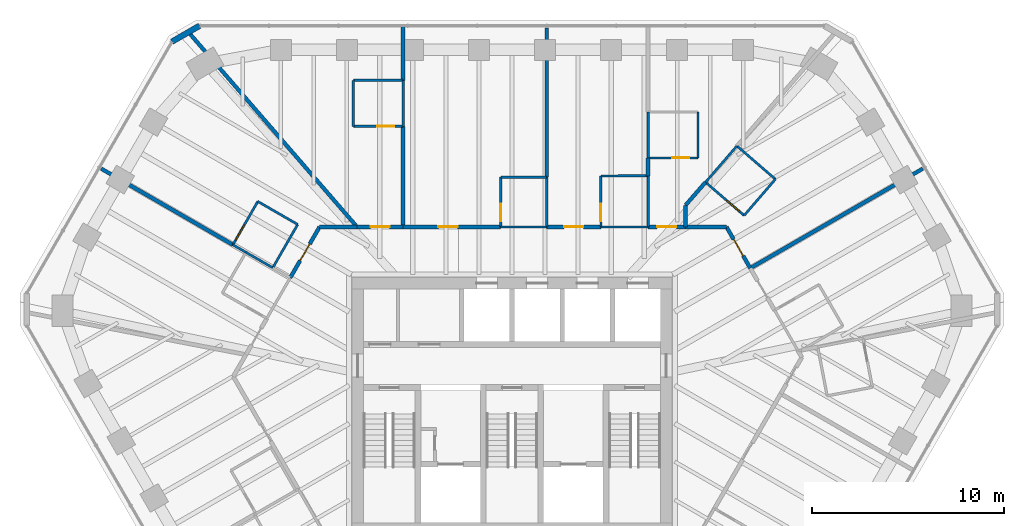
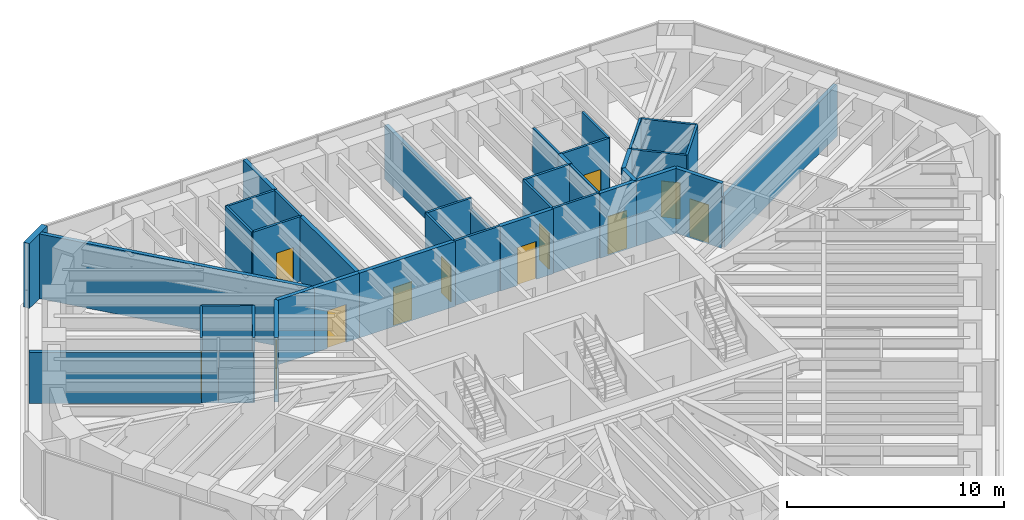
# One storey, part 12 of 14: 42 walls, 12 doors, 12 openings.
"""IFC4 building model written with IfcOpenShell, lengths in metres."""

from ifc_helpers import new_model, si_unit, direction, frame, frame_2d, origin, place, context, subcontext, project, spatial, rectangle, extrude, material, layer, layer_set, type_object, element, fill, save


model = new_model("IFC4")

# Units and contexts
model_context = context("Model", 3, precision=1e-05, world=origin(), true_north=direction((0.0, 1.0)))
body_context = subcontext(model_context, "Body", "Model", "MODEL_VIEW")
ifc_project = project(units=[si_unit("LENGTHUNIT", "METRE"), si_unit("AREAUNIT", "SQUARE_METRE"), si_unit("VOLUMEUNIT", "CUBIC_METRE"), si_unit("PLANEANGLEUNIT", "RADIAN"), si_unit("MASSUNIT", "GRAM", prefix="KILO")], contexts=[model_context])

# Site, building, storey
site_placement = place(None, origin())
site = spatial("IfcSite", under=ifc_project, at=site_placement, CompositionType="ELEMENT")
building_placement = place(site_placement, origin())
building = spatial("IfcBuilding", under=site, at=building_placement, Name="Sandreach Pilgrim Tower", CompositionType="ELEMENT")
storey_placement = place(building_placement, frame((0.0, 0.0, 276.0)))
storey = spatial("IfcBuildingStorey", under=building, at=storey_placement, Name="L69", CompositionType="ELEMENT", Elevation=276.0)

# Walls
ifc_material_1 = material(Name="Moisture-resistant gypsum board on steel studs", Category="steel")
ifc_layer_1 = layer(ifc_material_1, 0.1201171875)
ifc_layer_set_1 = layer_set([ifc_layer_1], Name="Bathroom partition 120")
wall_type_1 = type_object("IfcWallType", Name="Bathroom partition 120", PredefinedType="PARTITIONING", material=ifc_layer_set_1)
wall_1_placement = place(storey_placement, frame((-14.56005859375, 8.39990234375, 0.0), z_axis=(0.0, 0.0, 1.0), x_axis=(0.866242622795, -0.499623576758, 0.0)))
element("IfcWall", 1, at=wall_1_placement, inside=storey, type_object=wall_type_1, Name="Bathroom partition L69-006", PredefinedType="PARTITIONING", context=body_context, shape_type="SweptSolid", body=[
    extrude(rectangle(XDim=0.78369140625, YDim=0.1201171875, at=frame_2d((0.391845703125, 0.0))), origin(), (0.0, 0.0, 1.0), 2.8779296875),
])
wall_2_placement = place(storey_placement, frame((-13.881103515625, 8.00830078125, 0.0), z_axis=(0.0, 0.0, 1.0), x_axis=(0.866183073342, -0.499726808823, 0.0)))
element("IfcWall", 2, at=wall_2_placement, inside=storey, type_object=wall_type_1, Name="Bathroom partition L69-009", PredefinedType="PARTITIONING", context=body_context, shape_type="SweptSolid", body=[
    extrude(rectangle(XDim=1.61767578125, YDim=0.1201171875, at=frame_2d((0.808837890625, 0.0))), origin(), (0.0, 0.0, 1.0), 2.8779296875),
])

# Wall, opening, door
wall_3_placement = place(storey_placement, frame((-13.260009765625, 10.659912109375, 0.0), z_axis=(0.0, 0.0, 1.0), x_axis=(-0.498627694264, -0.866816256489, 0.0)))
wall_3 = element("IfcWall", 3, at=wall_3_placement, inside=storey, type_object=wall_type_1, Name="Bathroom partition L69-016", PredefinedType="PARTITIONING", context=body_context, shape_type="SweptSolid", body=[
    extrude(rectangle(XDim=2.607177734375, YDim=0.1201171875, at=frame_2d((1.3037109375, 0.0))), origin(), (0.0, 0.0, 1.0), 3.639892578125),
])
opening_1_placement = place(wall_3_placement, frame((1.4072265625, 0.0, 0.0)))
opening_1 = element("IfcOpeningElement", 4, at=opening_1_placement, cuts=wall_3, Name="Opening D09-16B", PredefinedType="OPENING", context=body_context, shape_type="SweptSolid", body=[
    extrude(rectangle(XDim=0.89990234375, YDim=2.030029296875, at=frame_2d((0.449951171875, 1.01513671875))), frame((0.0, 0.06005859375, 0.0), z_axis=(0.0, -1.0, 0.0), x_axis=(1.0, 0.0, 0.0)), (0.0, 0.0, 1.0), 0.1201171875),
])
ifc_material_2 = material(Name="Timber door, steel frame", Category="steel")
door_type_1 = type_object("IfcDoorType", Name="Bathroom door", OperationType="SINGLE_SWING_LEFT", PredefinedType="DOOR", material=ifc_material_2)
door_1_placement = place(opening_1_placement, origin())
door_1 = element("IfcDoor", 5, at=door_1_placement, inside=storey, type_object=door_type_1, Name="Door 6916B", OperationType="SINGLE_SWING_RIGHT", OverallHeight=2.030029296875, OverallWidth=0.89990234375, PredefinedType="DOOR", context=body_context, shape_type="SweptSolid", body=[
    extrude(rectangle(XDim=0.89990234375, YDim=2.030029296875, at=frame_2d((0.449951171875, 1.01513671875))), frame((0.0, 0.02490234375, 0.0), z_axis=(0.0, -1.0, 0.0), x_axis=(1.0, 0.0, 0.0)), (0.0, 0.0, 1.0), 0.050048828125),
])
fill(opening_1, door_1)

# Walls
wall_4_placement = place(storey_placement, frame((-12.47998046875, 7.199951171875, 0.0), z_axis=(0.0, 0.0, 1.0), x_axis=(0.498627694264, 0.866816256489, 0.0)))
element("IfcWall", 6, at=wall_4_placement, inside=storey, type_object=wall_type_1, Name="Bathroom partition L69-020", PredefinedType="PARTITIONING", context=body_context, shape_type="SweptSolid", body=[
    extrude(rectangle(XDim=2.607177734375, YDim=0.1201171875, at=frame_2d((1.3037109375, 0.0))), origin(), (0.0, 0.0, 1.0), 3.639892578125),
])
wall_5_placement = place(storey_placement, frame((-11.179931640625, 9.4599609375, 0.0), z_axis=(0.0, 0.0, 1.0), x_axis=(-0.866202511239, 0.499693115345, 0.0)))
element("IfcWall", 7, at=wall_5_placement, inside=storey, type_object=wall_type_1, Name="Bathroom partition L69-025", PredefinedType="PARTITIONING", context=body_context, shape_type="SweptSolid", body=[
    extrude(rectangle(XDim=2.4013671875, YDim=0.1201171875, at=frame_2d((1.20068359375, 0.0))), origin(), (0.0, 0.0, 1.0), 3.639892578125),
])

# Wall, opening, door
wall_6_placement = place(storey_placement, frame((-8.280029296875, 14.580078125, 0.0), z_axis=(0.0, 0.0, 1.0), x_axis=(1.0, 0.0, 0.0)))
wall_6 = element("IfcWall", 8, at=wall_6_placement, inside=storey, type_object=wall_type_1, Name="Bathroom partition L69-030", PredefinedType="PARTITIONING", context=body_context, shape_type="SweptSolid", body=[
    extrude(rectangle(XDim=2.60009765625, YDim=0.1201171875, at=frame_2d((1.300048828125, 0.0))), origin(), (0.0, 0.0, 1.0), 3.639892578125),
])
opening_2_placement = place(wall_6_placement, frame((1.25, 0.0, 0.0)))
opening_2 = element("IfcOpeningElement", 9, at=opening_2_placement, cuts=wall_6, Name="Opening D09-01B", PredefinedType="OPENING", context=body_context, shape_type="SweptSolid", body=[
    extrude(rectangle(XDim=0.89990234375, YDim=2.030029296875, at=frame_2d((0.449951171875, 1.01513671875))), frame((0.0, 0.06005859375, 0.0), z_axis=(0.0, -1.0, 0.0), x_axis=(1.0, 0.0, 0.0)), (0.0, 0.0, 1.0), 0.1201171875),
])
door_2_placement = place(opening_2_placement, origin())
door_2 = element("IfcDoor", 10, at=door_2_placement, inside=storey, type_object=door_type_1, Name="Door 6901B", OperationType="SINGLE_SWING_RIGHT", OverallHeight=2.030029296875, OverallWidth=0.89990234375, PredefinedType="DOOR", context=body_context, shape_type="SweptSolid", body=[
    extrude(rectangle(XDim=0.89990234375, YDim=2.030029296875, at=frame_2d((0.449951171875, 1.01513671875))), frame((0.0, 0.02490234375, 0.0), z_axis=(0.0, -1.0, 0.0), x_axis=(1.0, 0.0, 0.0)), (0.0, 0.0, 1.0), 0.050048828125),
])
fill(opening_2, door_2)

# Walls
wall_7_placement = place(storey_placement, frame((-8.280029296875, 16.97998046875, 0.0), z_axis=(0.0, 0.0, 1.0), x_axis=(0.0, -1.0, 0.0)))
element("IfcWall", 11, at=wall_7_placement, inside=storey, type_object=wall_type_1, Name="Bathroom partition L69-031", PredefinedType="PARTITIONING", context=body_context, shape_type="SweptSolid", body=[
    extrude(rectangle(XDim=2.39990234375, YDim=0.1201171875, at=frame_2d((1.199951171875, 0.0))), origin(), (0.0, 0.0, 1.0), 3.639892578125),
])
wall_8_placement = place(storey_placement, frame((-5.679931640625, 16.97998046875, 0.0), z_axis=(0.0, 0.0, 1.0), x_axis=(-1.0, 0.0, 0.0)))
element("IfcWall", 12, at=wall_8_placement, inside=storey, type_object=wall_type_1, Name="Bathroom partition L69-040", PredefinedType="PARTITIONING", context=body_context, shape_type="SweptSolid", body=[
    extrude(rectangle(XDim=2.60009765625, YDim=0.1201171875, at=frame_2d((1.300048828125, 0.0))), origin(), (0.0, 0.0, 1.0), 3.639892578125),
])
wall_9_placement = place(storey_placement, frame((-5.679931640625, 16.97998046875, 0.0), z_axis=(0.0, 0.0, 1.0), x_axis=(0.0, -1.0, 0.0)))
element("IfcWall", 13, at=wall_9_placement, inside=storey, type_object=wall_type_1, Name="Bathroom partition L69-041", PredefinedType="PARTITIONING", context=body_context, shape_type="SweptSolid", body=[
    extrude(rectangle(XDim=2.39990234375, YDim=0.1201171875, at=frame_2d((1.199951171875, 0.0))), origin(), (0.0, 0.0, 1.0), 3.639892578125),
])

# Wall, opening, door
wall_10_placement = place(storey_placement, frame((-0.580078125, 11.929931640625, 0.0), z_axis=(0.0, 0.0, 1.0), x_axis=(-0.003850098237, -0.999992588344, 0.0)))
wall_10 = element("IfcWall", 14, at=wall_10_placement, inside=storey, type_object=wall_type_1, Name="Bathroom partition L69-054", PredefinedType="PARTITIONING", context=body_context, shape_type="SweptSolid", body=[
    extrude(rectangle(XDim=2.599853515625, YDim=0.1201171875, at=frame_2d((1.2998046875, 0.0))), origin(), (0.0, 0.0, 1.0), 3.639892578125),
])
opening_3_placement = place(wall_10_placement, frame((1.39990234375, 0.0, 0.0)))
opening_3 = element("IfcOpeningElement", 15, at=opening_3_placement, cuts=wall_10, Name="Opening D09-02B", PredefinedType="OPENING", context=body_context, shape_type="SweptSolid", body=[
    extrude(rectangle(XDim=0.89990234375, YDim=2.030029296875, at=frame_2d((0.449951171875, 1.01513671875))), frame((0.0, 0.06005859375, 0.0), z_axis=(0.0, -1.0, 0.0), x_axis=(1.0, 0.0, 0.0)), (0.0, 0.0, 1.0), 0.1201171875),
])
door_3_placement = place(opening_3_placement, origin())
door_3 = element("IfcDoor", 16, at=door_3_placement, inside=storey, type_object=door_type_1, Name="Door 6902B", OperationType="SINGLE_SWING_RIGHT", OverallHeight=2.030029296875, OverallWidth=0.89990234375, PredefinedType="DOOR", context=body_context, shape_type="SweptSolid", body=[
    extrude(rectangle(XDim=0.89990234375, YDim=2.030029296875, at=frame_2d((0.449951171875, 1.01513671875))), frame((0.0, 0.02490234375, 0.0), z_axis=(0.0, -1.0, 0.0), x_axis=(1.0, 0.0, 0.0)), (0.0, 0.0, 1.0), 0.050048828125),
])
fill(opening_3, door_3)

# Walls
wall_11_placement = place(storey_placement, frame((1.81005859375, 9.330078125, 0.0), z_axis=(0.0, 0.0, 1.0), x_axis=(-1.0, 0.0, 0.0)))
element("IfcWall", 17, at=wall_11_placement, inside=storey, type_object=wall_type_1, Name="Bathroom partition L69-062", PredefinedType="PARTITIONING", context=body_context, shape_type="SweptSolid", body=[
    extrude(rectangle(XDim=2.400146484375, YDim=0.1201171875, at=frame_2d((1.2001953125, 0.0))), origin(), (0.0, 0.0, 1.0), 3.639892578125),
])
wall_12_placement = place(storey_placement, frame((1.81005859375, 11.929931640625, 0.0), z_axis=(0.0, 0.0, 1.0), x_axis=(-1.0, 0.0, 0.0)))
element("IfcWall", 18, at=wall_12_placement, inside=storey, type_object=wall_type_1, Name="Bathroom partition L69-063", PredefinedType="PARTITIONING", context=body_context, shape_type="SweptSolid", body=[
    extrude(rectangle(XDim=2.39013671875, YDim=0.1201171875, at=frame_2d((1.195068359375, 0.0))), origin(), (0.0, 0.0, 1.0), 3.639892578125),
])
wall_13_placement = place(storey_placement, frame((1.81005859375, 11.929931640625, 0.0), z_axis=(0.0, 0.0, 1.0), x_axis=(0.0, -1.0, 0.0)))
element("IfcWall", 19, at=wall_13_placement, inside=storey, type_object=wall_type_1, Name="Bathroom partition L69-064", PredefinedType="PARTITIONING", context=body_context, shape_type="SweptSolid", body=[
    extrude(rectangle(XDim=2.599853515625, YDim=0.1201171875, at=frame_2d((1.2998046875, 0.0))), origin(), (0.0, 0.0, 1.0), 3.022705078125),
])

# Wall, opening, door
wall_14_placement = place(storey_placement, frame((4.6298828125, 11.989990234375, 0.0), z_axis=(0.0, 0.0, 1.0), x_axis=(0.00376316748, -0.99999291926, 0.0)))
wall_14 = element("IfcWall", 20, at=wall_14_placement, inside=storey, type_object=wall_type_1, Name="Bathroom partition L69-070", PredefinedType="PARTITIONING", context=body_context, shape_type="SweptSolid", body=[
    extrude(rectangle(XDim=2.659912109375, YDim=0.1201171875, at=frame_2d((1.330078125, 0.0))), origin(), (0.0, 0.0, 1.0), 3.639892578125),
])
opening_4_placement = place(wall_14_placement, frame((1.4599609375, 0.0, 0.0)))
opening_4 = element("IfcOpeningElement", 21, at=opening_4_placement, cuts=wall_14, Name="Opening D09-03B", PredefinedType="OPENING", context=body_context, shape_type="SweptSolid", body=[
    extrude(rectangle(XDim=0.89990234375, YDim=2.030029296875, at=frame_2d((0.449951171875, 1.01513671875))), frame((0.0, 0.06005859375, 0.0), z_axis=(0.0, -1.0, 0.0), x_axis=(1.0, 0.0, 0.0)), (0.0, 0.0, 1.0), 0.1201171875),
])
door_4_placement = place(opening_4_placement, origin())
door_4 = element("IfcDoor", 22, at=door_4_placement, inside=storey, type_object=door_type_1, Name="Door 6903B", OperationType="SINGLE_SWING_RIGHT", OverallHeight=2.030029296875, OverallWidth=0.89990234375, PredefinedType="DOOR", context=body_context, shape_type="SweptSolid", body=[
    extrude(rectangle(XDim=0.89990234375, YDim=2.030029296875, at=frame_2d((0.449951171875, 1.01513671875))), frame((0.0, 0.02490234375, 0.0), z_axis=(0.0, -1.0, 0.0), x_axis=(1.0, 0.0, 0.0)), (0.0, 0.0, 1.0), 0.050048828125),
])
fill(opening_4, door_4)

# Walls
wall_15_placement = place(storey_placement, frame((7.10009765625, 9.330078125, 0.0), z_axis=(0.0, 0.0, 1.0), x_axis=(-1.0, 0.0, 0.0)))
element("IfcWall", 23, at=wall_15_placement, inside=storey, type_object=wall_type_1, Name="Bathroom partition L69-079", PredefinedType="PARTITIONING", context=body_context, shape_type="SweptSolid", body=[
    extrude(rectangle(XDim=2.460205078125, YDim=0.1201171875, at=frame_2d((1.22998046875, 0.0))), origin(), (0.0, 0.0, 1.0), 3.639892578125),
])
wall_16_placement = place(storey_placement, frame((7.10009765625, 12.0, 0.0), z_axis=(0.0, 0.0, 1.0), x_axis=(-0.99999178838, -0.00405255148, 0.0)))
element("IfcWall", 24, at=wall_16_placement, inside=storey, type_object=wall_type_1, Name="Bathroom partition L69-081", PredefinedType="PARTITIONING", context=body_context, shape_type="SweptSolid", body=[
    extrude(rectangle(XDim=2.469970703125, YDim=0.1201171875, at=frame_2d((1.23486328125, 0.0))), origin(), (0.0, 0.0, 1.0), 3.639892578125),
])
wall_17_placement = place(storey_placement, frame((7.10009765625, 12.0, 0.0), z_axis=(0.0, 0.0, 1.0), x_axis=(0.0, -1.0, 0.0)))
element("IfcWall", 25, at=wall_17_placement, inside=storey, type_object=wall_type_1, Name="Bathroom partition L69-082", PredefinedType="PARTITIONING", context=body_context, shape_type="SweptSolid", body=[
    extrude(rectangle(XDim=2.669921875, YDim=0.1201171875, at=frame_2d((1.3349609375, 0.0))), origin(), (0.0, 0.0, 1.0), 3.639892578125),
])

# Wall, opening, door
wall_18_placement = place(storey_placement, frame((7.10009765625, 12.929931640625, 0.0), z_axis=(0.0, 0.0, 1.0), x_axis=(1.0, 0.0, 0.0)))
wall_18 = element("IfcWall", 26, at=wall_18_placement, inside=storey, type_object=wall_type_1, Name="Bathroom partition L69-084", PredefinedType="PARTITIONING", context=body_context, shape_type="SweptSolid", body=[
    extrude(rectangle(XDim=2.599853515625, YDim=0.1201171875, at=frame_2d((1.2998046875, 0.0))), origin(), (0.0, 0.0, 1.0), 3.639892578125),
])
opening_5_placement = place(wall_18_placement, frame((1.25, 0.0, 0.0)))
opening_5 = element("IfcOpeningElement", 27, at=opening_5_placement, cuts=wall_18, Name="Opening D09-04B", PredefinedType="OPENING", context=body_context, shape_type="SweptSolid", body=[
    extrude(rectangle(XDim=0.89990234375, YDim=2.030029296875, at=frame_2d((0.449951171875, 1.01513671875))), frame((0.0, 0.06005859375, 0.0), z_axis=(0.0, -1.0, 0.0), x_axis=(1.0, 0.0, 0.0)), (0.0, 0.0, 1.0), 0.1201171875),
])
door_5_placement = place(opening_5_placement, origin())
door_5 = element("IfcDoor", 28, at=door_5_placement, inside=storey, type_object=door_type_1, Name="Door 6904B", OperationType="SINGLE_SWING_RIGHT", OverallHeight=2.030029296875, OverallWidth=0.89990234375, PredefinedType="DOOR", context=body_context, shape_type="SweptSolid", body=[
    extrude(rectangle(XDim=0.89990234375, YDim=2.030029296875, at=frame_2d((0.449951171875, 1.01513671875))), frame((0.0, 0.02490234375, 0.0), z_axis=(0.0, -1.0, 0.0), x_axis=(1.0, 0.0, 0.0)), (0.0, 0.0, 1.0), 0.050048828125),
])
fill(opening_5, door_5)

# Walls
for number, where, z_axis, x_axis, name in (
    (29, (7.10009765625, 15.330078125, 0.0), (0.0, 0.0, 1.0), (0.0, -1.0, 0.0), "Bathroom partition L69-085"),
    (30, (9.699951171875, 12.929931640625, 0.0), (0.0, 0.0, 1.0), (0.0, 1.0, 0.0), "Bathroom partition L69-094"),
):
    element("IfcWall", number, at=place(storey_placement, frame(where, z_axis=z_axis, x_axis=x_axis)), inside=storey, type_object=wall_type_1, Name=name, PredefinedType="PARTITIONING", context=body_context, shape_type="SweptSolid", body=[
        extrude(rectangle(XDim=2.400146484375, YDim=0.1201171875, at=frame_2d((1.2001953125, 0.0))), origin(), (0.0, 0.0, 1.0), 3.639892578125),
    ])
wall_19_placement = place(storey_placement, frame((10.09619140625, 11.663330078125, 0.0), z_axis=(0.0, 0.0, 1.0), x_axis=(0.654079520224, 0.7564257936, 0.0)))
element("IfcWall", 31, at=wall_19_placement, inside=storey, type_object=wall_type_1, Name="Bathroom partition L69-096", PredefinedType="PARTITIONING", context=body_context, shape_type="SweptSolid", body=[
    extrude(rectangle(XDim=2.50244140625, YDim=0.1201171875, at=frame_2d((1.251220703125, 0.0))), origin(), (0.0, 0.0, 1.0), 3.639892578125),
])

# Wall, opening, door
wall_20_placement = place(storey_placement, frame((10.10009765625, 11.659912109375, 0.0), z_axis=(0.0, 0.0, 1.0), x_axis=(0.757929364221, -0.652336630009, 0.0)))
wall_20 = element("IfcWall", 32, at=wall_20_placement, inside=storey, type_object=wall_type_1, Name="Bathroom partition L69-097", PredefinedType="PARTITIONING", context=body_context, shape_type="SweptSolid", body=[
    extrude(rectangle(XDim=2.65185546875, YDim=0.1201171875, at=frame_2d((1.325927734375, 0.0))), origin(), (0.0, 0.0, 1.0), 3.639892578125),
])
opening_6_placement = place(wall_20_placement, frame((1.451904296875, 0.0, 0.0)))
opening_6 = element("IfcOpeningElement", 33, at=opening_6_placement, cuts=wall_20, Name="Opening D09-05B", PredefinedType="OPENING", context=body_context, shape_type="SweptSolid", body=[
    extrude(rectangle(XDim=0.89990234375, YDim=2.030029296875, at=frame_2d((0.449951171875, 1.01513671875))), frame((0.0, 0.06005859375, 0.0), z_axis=(0.0, -1.0, 0.0), x_axis=(1.0, 0.0, 0.0)), (0.0, 0.0, 1.0), 0.1201171875),
])
door_6_placement = place(opening_6_placement, origin())
door_6 = element("IfcDoor", 34, at=door_6_placement, inside=storey, type_object=door_type_1, Name="Door 6905B", OperationType="SINGLE_SWING_RIGHT", OverallHeight=2.030029296875, OverallWidth=0.89990234375, PredefinedType="DOOR", context=body_context, shape_type="SweptSolid", body=[
    extrude(rectangle(XDim=0.89990234375, YDim=2.030029296875, at=frame_2d((0.449951171875, 1.01513671875))), frame((0.0, 0.02490234375, 0.0), z_axis=(0.0, -1.0, 0.0), x_axis=(1.0, 0.0, 0.0)), (0.0, 0.0, 1.0), 0.050048828125),
])
fill(opening_6, door_6)

# Walls
wall_21_placement = place(storey_placement, frame((12.110107421875, 9.929931640625, 0.0), z_axis=(0.0, 0.0, 1.0), x_axis=(0.65304410808, 0.757319874889, 0.0)))
element("IfcWall", 35, at=wall_21_placement, inside=storey, type_object=wall_type_1, Name="Bathroom partition L69-103", PredefinedType="PARTITIONING", context=body_context, shape_type="SweptSolid", body=[
    extrude(rectangle(XDim=2.495849609375, YDim=0.1201171875, at=frame_2d((1.248046875, 0.0))), origin(), (0.0, 0.0, 1.0), 3.639892578125),
])
wall_22_placement = place(storey_placement, frame((13.739990234375, 11.820068359375, 0.0), z_axis=(0.0, 0.0, 1.0), x_axis=(-0.756316256301, 0.6542061758, 0.0)))
element("IfcWall", 36, at=wall_22_placement, inside=storey, type_object=wall_type_1, Name="Bathroom partition L69-107", PredefinedType="PARTITIONING", context=body_context, shape_type="SweptSolid", body=[
    extrude(rectangle(XDim=2.644287109375, YDim=0.1201171875, at=frame_2d((1.322265625, 0.0))), origin(), (0.0, 0.0, 1.0), 3.639892578125),
])

# Wall, opening, door
ifc_material_3 = material(Name="Gypsum board on steel studs, two layers each side", Category="steel")
ifc_layer_2 = layer(ifc_material_3, 0.199951171875)
ifc_layer_set_2 = layer_set([ifc_layer_2], Name="Corridor wall 200")
wall_type_2 = type_object("IfcWallType", Name="Corridor wall 200", PredefinedType="PARTITIONING", material=ifc_layer_set_2)
wall_23_placement = place(storey_placement, frame((-11.56884765625, 6.679443359375, 0.0), z_axis=(0.0, 0.0, 1.0), x_axis=(0.499623447589, 0.866242697297, 0.0)))
wall_23 = element("IfcWall", 37, at=wall_23_placement, inside=storey, type_object=wall_type_2, Name="Corridor wall L69-022", PredefinedType="PARTITIONING", context=body_context, shape_type="SweptSolid", body=[
    extrude(rectangle(XDim=3.059814453125, YDim=0.199951171875, at=frame_2d((1.52978515625, 0.0))), origin(), (0.0, 0.0, 1.0), 3.639892578125),
])
opening_7_placement = place(wall_23_placement, frame((1.030029296875, 0.0, 0.0)))
opening_7 = element("IfcOpeningElement", 38, at=opening_7_placement, cuts=wall_23, Name="Opening D10-16", PredefinedType="OPENING", context=body_context, shape_type="SweptSolid", body=[
    extrude(rectangle(XDim=1.0, YDim=2.1298828125, at=frame_2d((0.5, 1.06494140625))), frame((0.0, 0.10009765625, 0.0), z_axis=(0.0, -1.0, 0.0), x_axis=(1.0, 0.0, 0.0)), (0.0, 0.0, 1.0), 0.199951171875),
])
ifc_material_4 = material(Name="Steel door and frame", Category="steel")
door_type_2 = type_object("IfcDoorType", Name="Guest room entry door", OperationType="SINGLE_SWING_LEFT", PredefinedType="DOOR", material=ifc_material_4)
door_7_placement = place(opening_7_placement, origin())
door_7 = element("IfcDoor", 39, at=door_7_placement, inside=storey, type_object=door_type_2, Name="Door 6916", OperationType="SINGLE_SWING_LEFT", OverallHeight=2.1298828125, OverallWidth=1.0, PredefinedType="DOOR", context=body_context, shape_type="SweptSolid", body=[
    extrude(rectangle(XDim=1.0, YDim=2.1298828125, at=frame_2d((0.5, 1.06494140625))), frame((0.0, 0.02490234375, 0.0), z_axis=(0.0, -1.0, 0.0), x_axis=(1.0, 0.0, 0.0)), (0.0, 0.0, 1.0), 0.050048828125),
])
fill(opening_7, door_7)

# Wall
wall_24_placement = place(storey_placement, frame((-8.080078125, 9.330078125, 0.0), z_axis=(0.0, 0.0, 1.0), x_axis=(-1.0, 0.0, 0.0)))
element("IfcWall", 40, at=wall_24_placement, inside=storey, type_object=wall_type_2, Name="Corridor wall L69-033", PredefinedType="PARTITIONING", context=body_context, shape_type="SweptSolid", body=[
    extrude(rectangle(XDim=1.9599609375, YDim=0.199951171875, at=frame_2d((0.97998046875, 0.0))), origin(), (0.0, 0.0, 1.0), 3.639892578125),
])

# Wall, opening, door
wall_25_placement = place(storey_placement, frame((-5.679931640625, 9.330078125, 0.0), z_axis=(0.0, 0.0, 1.0), x_axis=(-1.0, 0.0, 0.0)))
wall_25 = element("IfcWall", 41, at=wall_25_placement, inside=storey, type_object=wall_type_2, Name="Corridor wall L69-037", PredefinedType="PARTITIONING", context=body_context, shape_type="SweptSolid", body=[
    extrude(rectangle(XDim=2.400146484375, YDim=0.199951171875, at=frame_2d((1.2001953125, 0.0))), origin(), (0.0, 0.0, 1.0), 3.639892578125),
])
opening_8_placement = place(wall_25_placement, frame((0.699951171875, 0.0, 0.0)))
opening_8 = element("IfcOpeningElement", 42, at=opening_8_placement, cuts=wall_25, Name="Opening D10-01", PredefinedType="OPENING", context=body_context, shape_type="SweptSolid", body=[
    extrude(rectangle(XDim=1.0, YDim=2.1298828125, at=frame_2d((0.5, 1.06494140625))), frame((0.0, 0.10009765625, 0.0), z_axis=(0.0, -1.0, 0.0), x_axis=(1.0, 0.0, 0.0)), (0.0, 0.0, 1.0), 0.199951171875),
])
door_8_placement = place(opening_8_placement, origin())
door_8 = element("IfcDoor", 43, at=door_8_placement, inside=storey, type_object=door_type_2, Name="Door 6901", OperationType="SINGLE_SWING_LEFT", OverallHeight=2.1298828125, OverallWidth=1.0, PredefinedType="DOOR", context=body_context, shape_type="SweptSolid", body=[
    extrude(rectangle(XDim=1.0, YDim=2.1298828125, at=frame_2d((0.5, 1.06494140625))), frame((0.0, 0.02490234375, 0.0), z_axis=(0.0, -1.0, 0.0), x_axis=(1.0, 0.0, 0.0)), (0.0, 0.0, 1.0), 0.050048828125),
])
fill(opening_8, door_8)

wall_26_placement = place(storey_placement, frame((-5.679931640625, 9.330078125, 0.0), z_axis=(0.0, 0.0, 1.0), x_axis=(1.0, 0.0, 0.0)))
wall_26 = element("IfcWall", 44, at=wall_26_placement, inside=storey, type_object=wall_type_2, Name="Corridor wall L69-038", PredefinedType="PARTITIONING", context=body_context, shape_type="SweptSolid", body=[
    extrude(rectangle(XDim=5.08984375, YDim=0.199951171875, at=frame_2d((2.544921875, 0.0))), origin(), (0.0, 0.0, 1.0), 3.639892578125),
])
opening_9_placement = place(wall_26_placement, frame((1.844970703125, 0.0, 0.0)))
opening_9 = element("IfcOpeningElement", 45, at=opening_9_placement, cuts=wall_26, Name="Opening D10-02", PredefinedType="OPENING", context=body_context, shape_type="SweptSolid", body=[
    extrude(rectangle(XDim=1.0, YDim=2.1298828125, at=frame_2d((0.5, 1.06494140625))), frame((0.0, 0.10009765625, 0.0), z_axis=(0.0, -1.0, 0.0), x_axis=(1.0, 0.0, 0.0)), (0.0, 0.0, 1.0), 0.199951171875),
])
door_9_placement = place(opening_9_placement, origin())
door_9 = element("IfcDoor", 46, at=door_9_placement, inside=storey, type_object=door_type_2, Name="Door 6902", OperationType="SINGLE_SWING_LEFT", OverallHeight=2.1298828125, OverallWidth=1.0, PredefinedType="DOOR", context=body_context, shape_type="SweptSolid", body=[
    extrude(rectangle(XDim=1.0, YDim=2.1298828125, at=frame_2d((0.5, 1.06494140625))), frame((0.0, 0.02490234375, 0.0), z_axis=(0.0, -1.0, 0.0), x_axis=(1.0, 0.0, 0.0)), (0.0, 0.0, 1.0), 0.050048828125),
])
fill(opening_9, door_9)

wall_27_placement = place(storey_placement, frame((4.639892578125, 9.330078125, 0.0), z_axis=(0.0, 0.0, 1.0), x_axis=(-1.0, 0.0, 0.0)))
wall_27 = element("IfcWall", 47, at=wall_27_placement, inside=storey, type_object=wall_type_2, Name="Corridor wall L69-071", PredefinedType="PARTITIONING", context=body_context, shape_type="SweptSolid", body=[
    extrude(rectangle(XDim=2.829833984375, YDim=0.199951171875, at=frame_2d((1.4150390625, 0.0))), origin(), (0.0, 0.0, 1.0), 3.639892578125),
])
opening_10_placement = place(wall_27_placement, frame((0.9150390625, 0.0, 0.0)))
opening_10 = element("IfcOpeningElement", 48, at=opening_10_placement, cuts=wall_27, Name="Opening D10-03", PredefinedType="OPENING", context=body_context, shape_type="SweptSolid", body=[
    extrude(rectangle(XDim=1.0, YDim=2.1298828125, at=frame_2d((0.5, 1.06494140625))), frame((0.0, 0.10009765625, 0.0), z_axis=(0.0, -1.0, 0.0), x_axis=(1.0, 0.0, 0.0)), (0.0, 0.0, 1.0), 0.199951171875),
])
door_10_placement = place(opening_10_placement, origin())
door_10 = element("IfcDoor", 49, at=door_10_placement, inside=storey, type_object=door_type_2, Name="Door 6903", OperationType="SINGLE_SWING_LEFT", OverallHeight=2.1298828125, OverallWidth=1.0, PredefinedType="DOOR", context=body_context, shape_type="SweptSolid", body=[
    extrude(rectangle(XDim=1.0, YDim=2.1298828125, at=frame_2d((0.5, 1.06494140625))), frame((0.0, 0.02490234375, 0.0), z_axis=(0.0, -1.0, 0.0), x_axis=(1.0, 0.0, 0.0)), (0.0, 0.0, 1.0), 0.050048828125),
])
fill(opening_10, door_10)

wall_28_placement = place(storey_placement, frame((7.10009765625, 9.330078125, 0.0), z_axis=(0.0, 0.0, 1.0), x_axis=(1.0, 0.0, 0.0)))
wall_28 = element("IfcWall", 50, at=wall_28_placement, inside=storey, type_object=wall_type_2, Name="Corridor wall L69-080", PredefinedType="PARTITIONING", context=body_context, shape_type="SweptSolid", body=[
    extrude(rectangle(XDim=1.949951171875, YDim=0.199951171875, at=frame_2d((0.97509765625, 0.0))), origin(), (0.0, 0.0, 1.0), 3.639892578125),
])
opening_11_placement = place(wall_28_placement, frame((0.47509765625, 0.0, 0.0)))
opening_11 = element("IfcOpeningElement", 51, at=opening_11_placement, cuts=wall_28, Name="Opening D10-04", PredefinedType="OPENING", context=body_context, shape_type="SweptSolid", body=[
    extrude(rectangle(XDim=1.0, YDim=2.1298828125, at=frame_2d((0.5, 1.06494140625))), frame((0.0, 0.10009765625, 0.0), z_axis=(0.0, -1.0, 0.0), x_axis=(1.0, 0.0, 0.0)), (0.0, 0.0, 1.0), 0.199951171875),
])
door_11_placement = place(opening_11_placement, origin())
door_11 = element("IfcDoor", 52, at=door_11_placement, inside=storey, type_object=door_type_2, Name="Door 6904", OperationType="SINGLE_SWING_LEFT", OverallHeight=2.1298828125, OverallWidth=1.0, PredefinedType="DOOR", context=body_context, shape_type="SweptSolid", body=[
    extrude(rectangle(XDim=1.0, YDim=2.1298828125, at=frame_2d((0.5, 1.06494140625))), frame((0.0, 0.02490234375, 0.0), z_axis=(0.0, -1.0, 0.0), x_axis=(1.0, 0.0, 0.0)), (0.0, 0.0, 1.0), 0.050048828125),
])
fill(opening_11, door_11)

# Wall
wall_29_placement = place(storey_placement, frame((11.18994140625, 9.330078125, 0.0), z_axis=(0.0, 0.0, 1.0), x_axis=(-1.0, 0.0, 0.0)))
element("IfcWall", 53, at=wall_29_placement, inside=storey, type_object=wall_type_2, Name="Corridor wall L69-099", PredefinedType="PARTITIONING", context=body_context, shape_type="SweptSolid", body=[
    extrude(rectangle(XDim=2.139892578125, YDim=0.199951171875, at=frame_2d((1.06982421875, 0.0))), origin(), (0.0, 0.0, 1.0), 3.639892578125),
])

# Wall, opening, door
wall_30_placement = place(storey_placement, frame((11.18994140625, 9.330078125, 0.0), z_axis=(0.0, 0.0, 1.0), x_axis=(0.499577688184, -0.866269088372, 0.0)))
wall_30 = element("IfcWall", 54, at=wall_30_placement, inside=storey, type_object=wall_type_2, Name="Corridor wall L69-100", PredefinedType="PARTITIONING", context=body_context, shape_type="SweptSolid", body=[
    extrude(rectangle(XDim=2.482177734375, YDim=0.199951171875, at=frame_2d((1.2412109375, 0.0))), origin(), (0.0, 0.0, 1.0), 3.639892578125),
])
opening_12_placement = place(wall_30_placement, frame((0.740966796875, 0.0, 0.0)))
opening_12 = element("IfcOpeningElement", 55, at=opening_12_placement, cuts=wall_30, Name="Opening D10-05", PredefinedType="OPENING", context=body_context, shape_type="SweptSolid", body=[
    extrude(rectangle(XDim=1.0, YDim=2.1298828125, at=frame_2d((0.5, 1.06494140625))), frame((0.0, 0.10009765625, 0.0), z_axis=(0.0, -1.0, 0.0), x_axis=(1.0, 0.0, 0.0)), (0.0, 0.0, 1.0), 0.199951171875),
])
door_12_placement = place(opening_12_placement, origin())
door_12 = element("IfcDoor", 56, at=door_12_placement, inside=storey, type_object=door_type_2, Name="Door 6905", OperationType="SINGLE_SWING_LEFT", OverallHeight=2.1298828125, OverallWidth=1.0, PredefinedType="DOOR", context=body_context, shape_type="SweptSolid", body=[
    extrude(rectangle(XDim=1.0, YDim=2.1298828125, at=frame_2d((0.5, 1.06494140625))), frame((0.0, 0.02490234375, 0.0), z_axis=(0.0, -1.0, 0.0), x_axis=(1.0, 0.0, 0.0)), (0.0, 0.0, 1.0), 0.050048828125),
])
fill(opening_12, door_12)

# Walls
ifc_material_5 = material(Name="Double steel stud acoustic wall, gypsum board", Category="steel")
ifc_layer_3 = layer(ifc_material_5, 0.199951171875)
ifc_layer_set_3 = layer_set([ifc_layer_3], Name="Party wall 200")
wall_type_3 = type_object("IfcWallType", Name="Party wall 200", PredefinedType="PARTITIONING", material=ifc_layer_set_3)
wall_31_placement = place(storey_placement, frame((-21.426025390625, 12.369873046875, 0.0), z_axis=(0.0, 0.0, 1.0), x_axis=(0.865702942609, -0.500558103679, 0.0)))
element("IfcWall", 57, at=wall_31_placement, inside=storey, type_object=wall_type_3, Name="Party wall L69-002", PredefinedType="PARTITIONING", context=body_context, shape_type="SweptSolid", body=[
    extrude(rectangle(XDim=7.93115234375, YDim=0.199951171875, at=frame_2d((3.965576171875, 0.0))), origin(), (0.0, 0.0, 1.0), 2.8779296875),
])
wall_32_placement = place(storey_placement, frame((-8.1455078125, 9.405517578125, 0.0), z_axis=(0.0, 0.0, 1.0), x_axis=(-0.654501911032, 0.756060347099, 0.0)))
element("IfcWall", 58, at=wall_32_placement, inside=storey, type_object=wall_type_3, Name="Party wall L69-032", PredefinedType="PARTITIONING", context=body_context, shape_type="SweptSolid", body=[
    extrude(rectangle(XDim=13.361083984375, YDim=0.199951171875, at=frame_2d((6.6806640625, 0.0))), origin(), (0.0, 0.0, 1.0), 3.639892578125),
])
wall_33_placement = place(storey_placement, frame((-5.679931640625, 14.580078125, 0.0), z_axis=(0.0, 0.0, 1.0), x_axis=(0.0, -1.0, 0.0)))
element("IfcWall", 59, at=wall_33_placement, inside=storey, type_object=wall_type_3, Name="Party wall L69-039", PredefinedType="PARTITIONING", context=body_context, shape_type="SweptSolid", body=[
    extrude(rectangle(XDim=5.239990234375, YDim=0.199951171875, at=frame_2d((2.6201171875, 0.0))), origin(), (0.0, 0.0, 1.0), 3.639892578125),
])
wall_34_placement = place(storey_placement, frame((-5.679931640625, 19.800048828125, 0.0), z_axis=(0.0, 0.0, 1.0), x_axis=(0.0, -1.0, 0.0)))
element("IfcWall", 60, at=wall_34_placement, inside=storey, type_object=wall_type_3, Name="Party wall L69-042", PredefinedType="PARTITIONING", context=body_context, shape_type="SweptSolid", body=[
    extrude(rectangle(XDim=2.820068359375, YDim=0.199951171875, at=frame_2d((1.41015625, 0.0))), origin(), (0.0, 0.0, 1.0), 3.639892578125),
])
wall_35_placement = place(storey_placement, frame((1.81005859375, 19.7099609375, 0.0), z_axis=(0.0, 0.0, 1.0), x_axis=(0.0, -1.0, 0.0)))
element("IfcWall", 61, at=wall_35_placement, inside=storey, type_object=wall_type_3, Name="Party wall L69-065", PredefinedType="PARTITIONING", context=body_context, shape_type="SweptSolid", body=[
    extrude(rectangle(XDim=7.780029296875, YDim=0.199951171875, at=frame_2d((3.89013671875, 0.0))), origin(), (0.0, 0.0, 1.0), 3.022705078125),
])
wall_36_placement = place(storey_placement, frame((7.10009765625, 12.929931640625, 0.0), z_axis=(0.0, 0.0, 1.0), x_axis=(0.0, -1.0, 0.0)))
element("IfcWall", 62, at=wall_36_placement, inside=storey, type_object=wall_type_3, Name="Party wall L69-083", PredefinedType="PARTITIONING", context=body_context, shape_type="SweptSolid", body=[
    extrude(rectangle(XDim=0.929931640625, YDim=0.199951171875, at=frame_2d((0.46484375, 0.0))), origin(), (0.0, 0.0, 1.0), 3.639892578125),
])
wall_37_placement = place(storey_placement, frame((9.050048828125, 10.4599609375, 0.0), z_axis=(0.0, 0.0, 1.0), x_axis=(0.0, -1.0, 0.0)))
element("IfcWall", 63, at=wall_37_placement, inside=storey, type_object=wall_type_3, Name="Party wall L69-090", PredefinedType="PARTITIONING", context=body_context, shape_type="SweptSolid", body=[
    extrude(rectangle(XDim=1.119873046875, YDim=0.199951171875, at=frame_2d((0.56005859375, 0.0))), origin(), (0.0, 0.0, 1.0), 3.639892578125),
])
wall_38_placement = place(storey_placement, frame((9.050048828125, 10.4599609375, 0.0), z_axis=(0.0, 0.0, 1.0), x_axis=(0.656083941969, 0.754687922979, 0.0)))
element("IfcWall", 64, at=wall_38_placement, inside=storey, type_object=wall_type_3, Name="Party wall L69-091", PredefinedType="PARTITIONING", context=body_context, shape_type="SweptSolid", body=[
    extrude(rectangle(XDim=1.594482421875, YDim=0.199951171875, at=frame_2d((0.79736328125, 0.0))), origin(), (0.0, 0.0, 1.0), 3.639892578125),
])
wall_39_placement = place(storey_placement, frame((21.426025390625, 12.3701171875, 0.0), z_axis=(0.0, 0.0, 1.0), x_axis=(-0.866178531411, -0.499734681328, 0.0)))
element("IfcWall", 65, at=wall_39_placement, inside=storey, type_object=wall_type_3, Name="Party wall L69-122", PredefinedType="PARTITIONING", context=body_context, shape_type="SweptSolid", body=[
    extrude(rectangle(XDim=10.370849609375, YDim=0.199951171875, at=frame_2d((5.185546875, 0.0))), origin(), (0.0, 0.0, 1.0), 2.8779296875),
])
ifc_material_6 = material(Name="Terracotta rainscreen on concrete", Category="masonry")
ifc_layer_4 = layer(ifc_material_6, 0.300048828125)
ifc_layer_set_4 = layer_set([ifc_layer_4], Name="Terracotta chamfer pier")
wall_type_4 = type_object("IfcWallType", Name="Terracotta chamfer pier", PredefinedType="SOLIDWALL", material=ifc_layer_set_4)
wall_40_placement = place(storey_placement, frame((-17.736083984375, 18.996337890625, 0.0), z_axis=(0.0, 0.0, 1.0), x_axis=(0.866026405774, 0.499998264499, 0.0)))
element("IfcWall", 66, at=wall_40_placement, inside=storey, type_object=wall_type_4, Name="Chamfer pier L69 NW", PredefinedType="SOLIDWALL", context=body_context, shape_type="SweptSolid", body=[
    extrude(rectangle(XDim=1.66015625, YDim=0.300048828125, at=frame_2d((0.830078125, 0.0))), origin(), (0.0, 0.0, 1.0), 3.639892578125),
])

save(model, "model.ifc")
